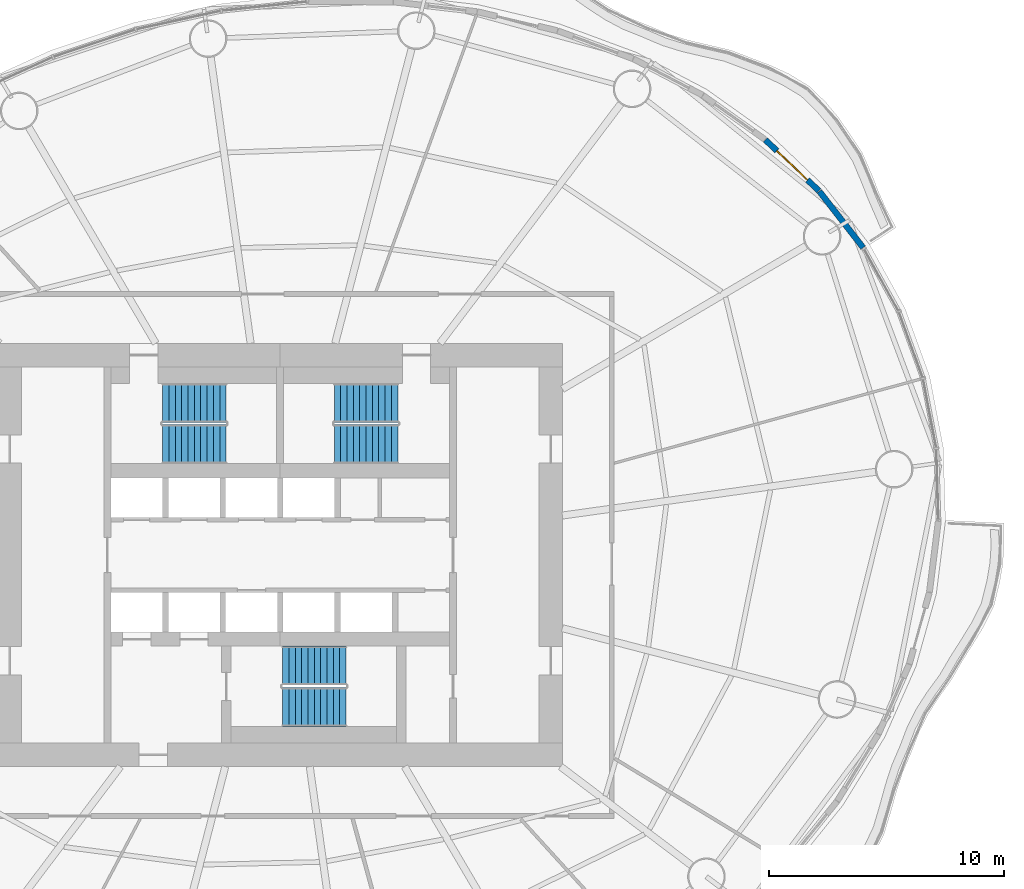
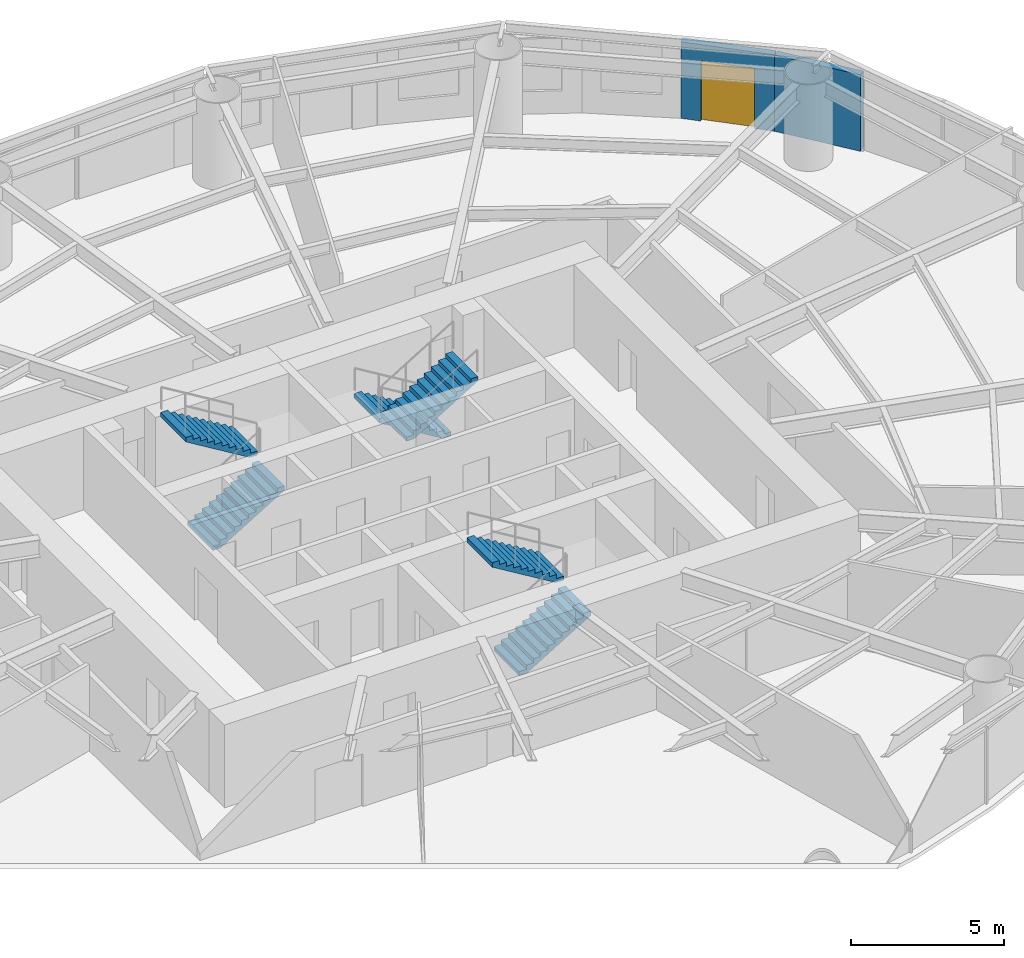
# One storey, part 11 of 16: 6 stair flights, 2 walls, 1 door, 1 opening, 3 elements without a shape of their own.
"""IFC4 building model written with IfcOpenShell, lengths in metres."""

from ifc_helpers import new_model, si_unit, direction, frame, frame_2d, origin, place, context, subcontext, project, spatial, polyline, rectangle, outline, extrude, material, layer, layer_set, type_object, element, fill, aggregate, save


model = new_model("IFC4")

# Units and contexts
model_context = context("Model", 3, precision=1e-05, world=origin(), true_north=direction((0.0, 1.0)))
body_context = subcontext(model_context, "Body", "Model", "MODEL_VIEW")
ifc_project = project(units=[si_unit("LENGTHUNIT", "METRE"), si_unit("AREAUNIT", "SQUARE_METRE"), si_unit("VOLUMEUNIT", "CUBIC_METRE"), si_unit("PLANEANGLEUNIT", "RADIAN"), si_unit("MASSUNIT", "GRAM", prefix="KILO")], contexts=[model_context])

# Site, building, storey
site_placement = place(None, origin())
site = spatial("IfcSite", under=ifc_project, at=site_placement, CompositionType="ELEMENT")
building_placement = place(site_placement, origin())
building = spatial("IfcBuilding", under=site, at=building_placement, Name="Vermilion Reach Broadcast Tower", CompositionType="ELEMENT")
storey_placement = place(building_placement, frame((0.0, 0.0, 95.800048828125)))
storey = spatial("IfcBuildingStorey", under=building, at=storey_placement, Name="L21", CompositionType="ELEMENT", Elevation=95.800048828125)

# Wall
ifc_material_1 = material(Name="Terracotta rainscreen cladding", Category="masonry")
ifc_layer = layer(ifc_material_1, 0.25)
ifc_layer_set = layer_set([ifc_layer], Name="Terracotta rainscreen wall 250")
wall_type = type_object("IfcWallType", Name="Terracotta rainscreen wall 250", PredefinedType="SOLIDWALL", material=ifc_layer_set)
wall_1_placement = place(storey_placement, frame((18.789794921875, 13.066650390625, 0.0), z_axis=(0.0, 0.0, 1.0), x_axis=(-0.61377901143, 0.789477881342, 0.0)))
element("IfcWall", 1, at=wall_1_placement, inside=storey, type_object=wall_type, Name="External wall L21 02", PredefinedType="SOLIDWALL", context=body_context, shape_type="SweptSolid", body=[
    extrude(rectangle(XDim=3.033447265625, YDim=0.25, at=frame_2d((1.5166015625, 0.0))), origin(), (0.0, 0.0, 1.0), 3.050048828125),
])

# Wall, opening, door
wall_2_placement = place(storey_placement, frame((16.91015625, 15.481201171875, 0.0), z_axis=(0.0, 0.0, 1.0), x_axis=(-0.724171165965, 0.689620274053, 0.0)))
wall_2 = element("IfcWall", 2, at=wall_2_placement, inside=storey, type_object=wall_type, Name="External wall L21 03", PredefinedType="SOLIDWALL", context=body_context, shape_type="SweptSolid", body=[
    extrude(rectangle(XDim=3.14453125, YDim=0.25, at=frame_2d((1.572265625, 0.0))), origin(), (0.0, 0.0, 1.0), 3.050048828125),
])
opening_placement = place(wall_2_placement, frame((0.672119140625, 0.0, 0.0)))
opening = element("IfcOpeningElement", 3, at=opening_placement, cuts=wall_2, Name="Opening D70", PredefinedType="OPENING", context=body_context, shape_type="SweptSolid", body=[
    extrude(rectangle(XDim=1.800048828125, YDim=2.39990234375, at=frame_2d((0.89990234375, 1.199951171875))), frame((0.0, 0.135009765625, 0.0), z_axis=(0.0, -1.0, 0.0), x_axis=(1.0, 0.0, 0.0)), (0.0, 0.0, 1.0), 0.27001953125),
])
ifc_material_2 = material(Name="Low-e laminated clear glass in aluminium frame", Category="aluminium")
door_type = type_object("IfcDoorType", Name="Balcony sliding door 1800 x 2400", OperationType="DOUBLE_DOOR_SLIDING", PredefinedType="DOOR", material=ifc_material_2)
door_placement = place(opening_placement, origin())
door = element("IfcDoor", 4, at=door_placement, inside=storey, type_object=door_type, Name="Balcony door L21 run 01", OperationType="DOUBLE_DOOR_SLIDING", OverallHeight=2.39990234375, OverallWidth=1.800048828125, PredefinedType="DOOR", context=body_context, shape_type="SweptSolid", body=[
    extrude(rectangle(XDim=1.800048828125, YDim=2.39990234375, at=frame_2d((0.89990234375, 1.199951171875))), frame((0.0, 0.02490234375, 0.0), z_axis=(0.0, -1.0, 0.0), x_axis=(1.0, 0.0, 0.0)), (0.0, 0.0, 1.0), 0.050048828125),
])
fill(opening, door)

# Stair, stair flights
ifc_material_3 = material(Name="Concrete C40", Category="concrete")
stair_type = type_object("IfcStairType", Name="Exit stair RC 22 risers 164 mm", PredefinedType="HALF_TURN_STAIR", material=ifc_material_3)
placement = place(storey_placement, origin())
stair_1 = element("IfcStair", 5, at=placement, inside=storey, type_object=stair_type, Name="L21 Exit stair ST1", PredefinedType="HALF_TURN_STAIR")
ifc_material_4 = material(Name="Concrete C40", Category="concrete")
stair_flight_type = type_object("IfcStairFlightType", Name="Exit stair flight RC 11 risers", PredefinedType="STRAIGHT", material=ifc_material_4)
stair_flight_1_placement = place(storey_placement, frame((-11.0, 4.7099609375, 0.0), z_axis=(0.0, 0.0, 1.0), x_axis=(1.0, 0.0, 0.0)))
stair_flight_1 = element("IfcStairFlight", 6, at=stair_flight_1_placement, type_object=stair_flight_type, Name="ST1 flight 1", NumberOfRisers=11, NumberOfTreads=10, PredefinedType="STRAIGHT", RiserHeight=0.163636364, TreadLength=0.27, context=body_context, shape_type="SweptSolid", body=[
    extrude(outline(polyline([(0.0, 0.0), (0.0, 0.16357421875), (0.27001953125, 0.16357421875), (0.27001953125, 0.327392578125), (0.5400390625, 0.327392578125), (0.5400390625, 0.490966796875), (0.81005859375, 0.490966796875), (0.81005859375, 0.654541015625), (1.080078125, 0.654541015625), (1.080078125, 0.818115234375), (1.35009765625, 0.818115234375), (1.35009765625, 0.98193359375), (1.6201171875, 0.98193359375), (1.6201171875, 1.1455078125), (1.889892578125, 1.1455078125), (1.889892578125, 1.30908203125), (2.159912109375, 1.30908203125), (2.159912109375, 1.47265625), (2.429931640625, 1.47265625), (2.429931640625, 1.636474609375), (2.699951171875, 1.636474609375), (2.699951171875, 1.800048828125), (2.699951171875, 1.461181640625), (0.289306640625, 0.0), (0.0, 0.0)])), frame((0.0, 0.830078125, 0.0), z_axis=(0.0, -1.0, 0.0), x_axis=(1.0, 0.0, 0.0)), (0.0, 0.0, 1.0), 1.659912109375),
])
stair_flight_2_placement = place(storey_placement, frame((-8.300048828125, 6.469970703125, 1.800048828125), z_axis=(0.0, 0.0, 1.0), x_axis=(-1.0, 0.0, 0.0)))
stair_flight_2 = element("IfcStairFlight", 7, at=stair_flight_2_placement, type_object=stair_flight_type, Name="ST1 flight 2", NumberOfRisers=11, NumberOfTreads=10, PredefinedType="STRAIGHT", RiserHeight=0.163636364, TreadLength=0.27, context=body_context, shape_type="SweptSolid", body=[
    extrude(outline(polyline([(0.0, 0.0), (0.0, 0.16357421875), (0.27001953125, 0.16357421875), (0.27001953125, 0.327392578125), (0.5400390625, 0.327392578125), (0.5400390625, 0.490966796875), (0.81005859375, 0.490966796875), (0.81005859375, 0.654541015625), (1.080078125, 0.654541015625), (1.080078125, 0.818115234375), (1.35009765625, 0.818115234375), (1.35009765625, 0.98193359375), (1.6201171875, 0.98193359375), (1.6201171875, 1.1455078125), (1.889892578125, 1.1455078125), (1.889892578125, 1.30908203125), (2.159912109375, 1.30908203125), (2.159912109375, 1.47265625), (2.429931640625, 1.47265625), (2.429931640625, 1.636474609375), (2.699951171875, 1.636474609375), (2.699951171875, 1.800048828125), (2.699951171875, 1.461181640625), (0.289306640625, 0.0), (0.0, 0.0)])), frame((0.0, 0.830078125, 0.0), z_axis=(0.0, -1.0, 0.0), x_axis=(1.0, 0.0, 0.0)), (0.0, 0.0, 1.0), 1.659912109375),
])
aggregate(stair_1, [stair_flight_1, stair_flight_2])

stair_2 = element("IfcStair", 8, at=placement, inside=storey, type_object=stair_type, Name="L21 Exit stair ST2", PredefinedType="HALF_TURN_STAIR")
stair_flight_3_placement = place(storey_placement, frame((-1.0, 6.469970703125, 0.0), z_axis=(0.0, 0.0, 1.0), x_axis=(-1.0, 0.0, 0.0)))
stair_flight_3 = element("IfcStairFlight", 9, at=stair_flight_3_placement, type_object=stair_flight_type, Name="ST2 flight 1", NumberOfRisers=11, NumberOfTreads=10, PredefinedType="STRAIGHT", RiserHeight=0.163636364, TreadLength=0.27, context=body_context, shape_type="SweptSolid", body=[
    extrude(outline(polyline([(0.0, 0.0), (0.0, 0.16357421875), (0.27001953125, 0.16357421875), (0.27001953125, 0.327392578125), (0.5400390625, 0.327392578125), (0.5400390625, 0.490966796875), (0.81005859375, 0.490966796875), (0.81005859375, 0.654541015625), (1.080078125, 0.654541015625), (1.080078125, 0.818115234375), (1.35009765625, 0.818115234375), (1.35009765625, 0.98193359375), (1.6201171875, 0.98193359375), (1.6201171875, 1.1455078125), (1.889892578125, 1.1455078125), (1.889892578125, 1.30908203125), (2.159912109375, 1.30908203125), (2.159912109375, 1.47265625), (2.429931640625, 1.47265625), (2.429931640625, 1.636474609375), (2.699951171875, 1.636474609375), (2.699951171875, 1.800048828125), (2.699951171875, 1.461181640625), (0.289306640625, 0.0), (0.0, 0.0)])), frame((0.0, 0.830078125, 0.0), z_axis=(0.0, -1.0, 0.0), x_axis=(1.0, 0.0, 0.0)), (0.0, 0.0, 1.0), 1.659912109375),
])
stair_flight_4_placement = place(storey_placement, frame((-3.699951171875, 4.7099609375, 1.800048828125), z_axis=(0.0, 0.0, 1.0), x_axis=(1.0, 0.0, 0.0)))
stair_flight_4 = element("IfcStairFlight", 10, at=stair_flight_4_placement, type_object=stair_flight_type, Name="ST2 flight 2", NumberOfRisers=11, NumberOfTreads=10, PredefinedType="STRAIGHT", RiserHeight=0.163636364, TreadLength=0.27, context=body_context, shape_type="SweptSolid", body=[
    extrude(outline(polyline([(0.0, 0.0), (0.0, 0.16357421875), (0.27001953125, 0.16357421875), (0.27001953125, 0.327392578125), (0.5400390625, 0.327392578125), (0.5400390625, 0.490966796875), (0.81005859375, 0.490966796875), (0.81005859375, 0.654541015625), (1.080078125, 0.654541015625), (1.080078125, 0.818115234375), (1.35009765625, 0.818115234375), (1.35009765625, 0.98193359375), (1.6201171875, 0.98193359375), (1.6201171875, 1.1455078125), (1.889892578125, 1.1455078125), (1.889892578125, 1.30908203125), (2.159912109375, 1.30908203125), (2.159912109375, 1.47265625), (2.429931640625, 1.47265625), (2.429931640625, 1.636474609375), (2.699951171875, 1.636474609375), (2.699951171875, 1.800048828125), (2.699951171875, 1.461181640625), (0.289306640625, 0.0), (0.0, 0.0)])), frame((0.0, 0.830078125, 0.0), z_axis=(0.0, -1.0, 0.0), x_axis=(1.0, 0.0, 0.0)), (0.0, 0.0, 1.0), 1.659912109375),
])
aggregate(stair_2, [stair_flight_3, stair_flight_4])

stair_3 = element("IfcStair", 11, at=placement, inside=storey, type_object=stair_type, Name="L21 Exit stair ST3", PredefinedType="HALF_TURN_STAIR")
stair_flight_5_placement = place(storey_placement, frame((-5.89990234375, -6.469970703125, 0.0), z_axis=(0.0, 0.0, 1.0), x_axis=(1.0, 0.0, 0.0)))
stair_flight_5 = element("IfcStairFlight", 12, at=stair_flight_5_placement, type_object=stair_flight_type, Name="ST3 flight 1", NumberOfRisers=11, NumberOfTreads=10, PredefinedType="STRAIGHT", RiserHeight=0.163636364, TreadLength=0.27, context=body_context, shape_type="SweptSolid", body=[
    extrude(outline(polyline([(0.0, 0.0), (0.0, 0.16357421875), (0.27001953125, 0.16357421875), (0.27001953125, 0.327392578125), (0.5400390625, 0.327392578125), (0.5400390625, 0.490966796875), (0.81005859375, 0.490966796875), (0.81005859375, 0.654541015625), (1.080078125, 0.654541015625), (1.080078125, 0.818115234375), (1.35009765625, 0.818115234375), (1.35009765625, 0.98193359375), (1.6201171875, 0.98193359375), (1.6201171875, 1.1455078125), (1.889892578125, 1.1455078125), (1.889892578125, 1.30908203125), (2.159912109375, 1.30908203125), (2.159912109375, 1.47265625), (2.429931640625, 1.47265625), (2.429931640625, 1.636474609375), (2.699951171875, 1.636474609375), (2.699951171875, 1.800048828125), (2.699951171875, 1.461181640625), (0.289306640625, 0.0), (0.0, 0.0)])), frame((0.0, 0.830078125, 0.0), z_axis=(0.0, -1.0, 0.0), x_axis=(1.0, 0.0, 0.0)), (0.0, 0.0, 1.0), 1.659912109375),
])
stair_flight_6_placement = place(storey_placement, frame((-3.199951171875, -4.7099609375, 1.800048828125), z_axis=(0.0, 0.0, 1.0), x_axis=(-1.0, 0.0, 0.0)))
stair_flight_6 = element("IfcStairFlight", 13, at=stair_flight_6_placement, type_object=stair_flight_type, Name="ST3 flight 2", NumberOfRisers=11, NumberOfTreads=10, PredefinedType="STRAIGHT", RiserHeight=0.163636364, TreadLength=0.27, context=body_context, shape_type="SweptSolid", body=[
    extrude(outline(polyline([(0.0, 0.0), (0.0, 0.16357421875), (0.27001953125, 0.16357421875), (0.27001953125, 0.327392578125), (0.5400390625, 0.327392578125), (0.5400390625, 0.490966796875), (0.81005859375, 0.490966796875), (0.81005859375, 0.654541015625), (1.080078125, 0.654541015625), (1.080078125, 0.818115234375), (1.35009765625, 0.818115234375), (1.35009765625, 0.98193359375), (1.6201171875, 0.98193359375), (1.6201171875, 1.1455078125), (1.889892578125, 1.1455078125), (1.889892578125, 1.30908203125), (2.159912109375, 1.30908203125), (2.159912109375, 1.47265625), (2.429931640625, 1.47265625), (2.429931640625, 1.636474609375), (2.699951171875, 1.636474609375), (2.699951171875, 1.800048828125), (2.699951171875, 1.461181640625), (0.289306640625, 0.0), (0.0, 0.0)])), frame((0.0, 0.830078125, 0.0), z_axis=(0.0, -1.0, 0.0), x_axis=(1.0, 0.0, 0.0)), (0.0, 0.0, 1.0), 1.659912109375),
])
aggregate(stair_3, [stair_flight_5, stair_flight_6])

save(model, "model.ifc")
